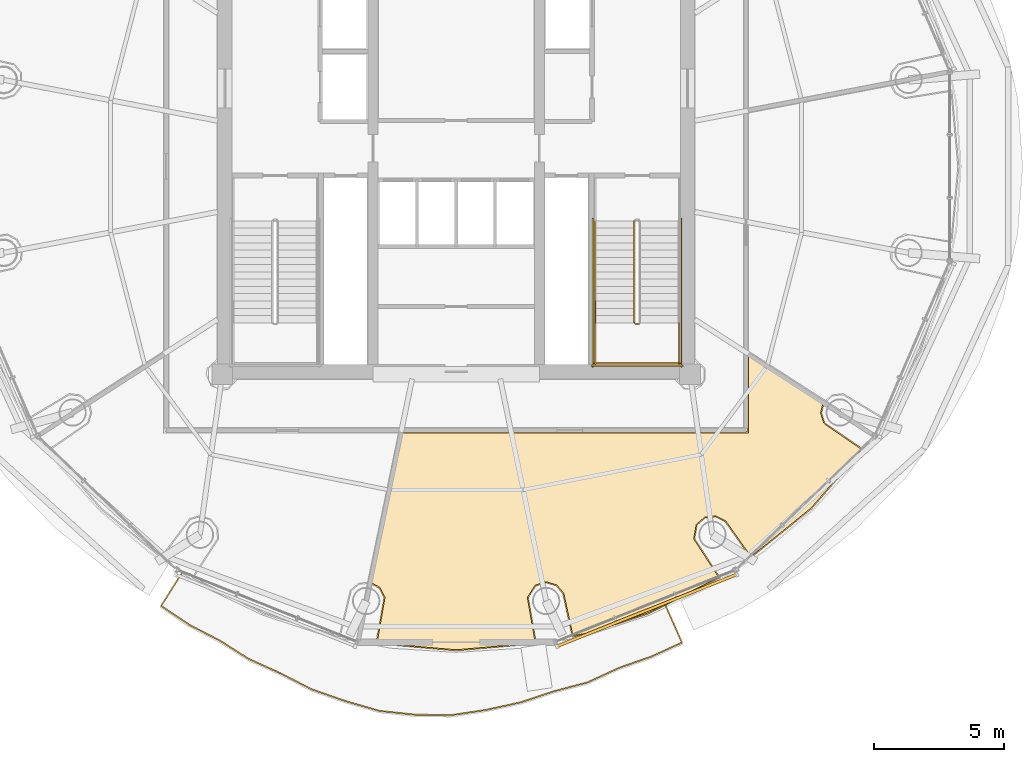
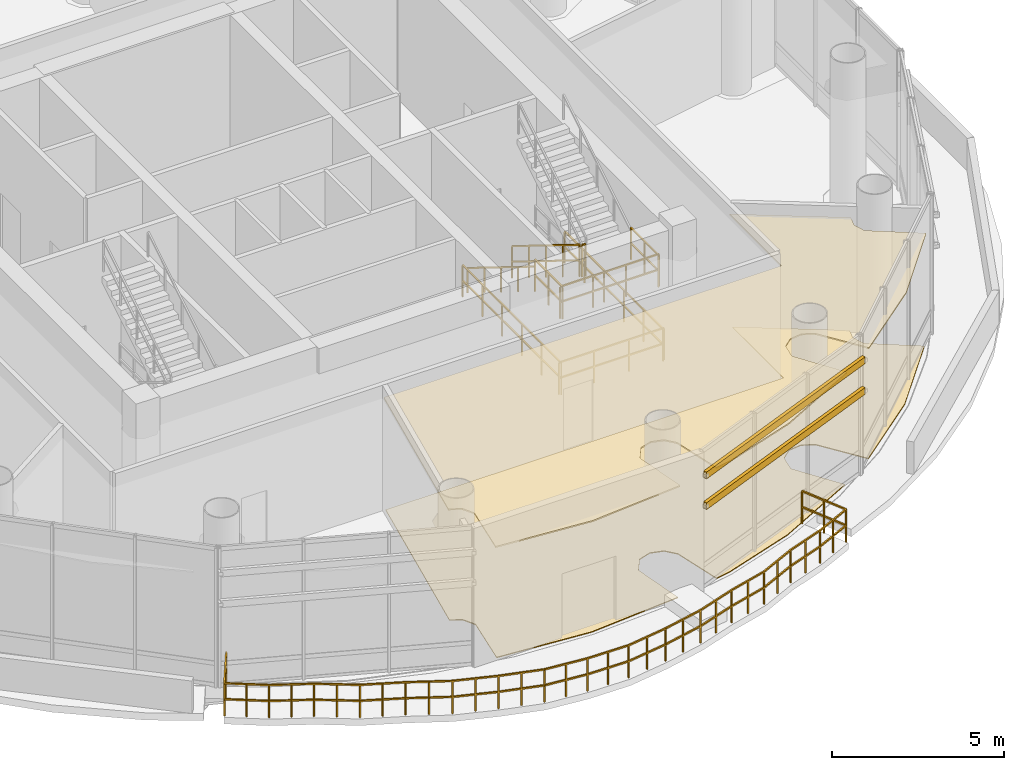
# One storey, part 20 of 22: 10 railings, 2 coverings, 2 shading devices.
"""IFC4 building model written with IfcOpenShell, lengths in metres."""

import ifcopenshell
import ifcopenshell.guid

model = None  # the IFC model being written
_history = None  # IfcOwnerHistory: only IFC2X3 demands one
_inside = {}  # id of a spatial element -> (the spatial element, [elements in it])
_under = {}  # id of a project, library or spatial element -> (it, [spatial elements below it])
_declared = {}  # id of a project -> (the project, [libraries it declares])
_typed = {}  # id of a type object -> (the type object, [elements of that type])
_made_of = {}  # id of a material, layer set ... -> (it, [elements and type objects made of it])


def new_model(schema):
    """Start an empty IFC model of exactly this schema.

    Asked for "IFC4X3", IfcOpenShell would pick the latest addendum, in which some entities
    have other attributes; the version numbers below select the first issue.
    IFC2X3 requires an IfcOwnerHistory on every rooted entity: one is made here for all.
    """
    global model, _history
    if schema == "IFC4X3":
        model = ifcopenshell.file(schema_version=(4, 3, 0, 0))
    else:
        model = ifcopenshell.file(schema=schema)
    _inside.clear()
    _under.clear()
    _declared.clear()
    _typed.clear()
    _made_of.clear()
    _history = None
    if model.schema == "IFC2X3":
        org = make("IfcOrganization", Name="unknown")
        user = make(
            "IfcPersonAndOrganization",
            ThePerson=make("IfcPerson", FamilyName="unknown"),
            TheOrganization=org,
        )
        app = make(
            "IfcApplication",
            ApplicationDeveloper=org,
            Version="unknown",
            ApplicationFullName="unknown",
            ApplicationIdentifier="unknown",
        )
        _history = make(
            "IfcOwnerHistory",
            OwningUser=user,
            OwningApplication=app,
            ChangeAction="ADDED",
            CreationDate=0,
        )
    return model


def make(cls, **values):
    """One entity of the class cls with the attributes given. An attribute that is None is left unset."""
    return model.create_entity(
        cls, **{name: value for name, value in values.items() if value is not None}
    )


def rooted(cls, **values):
    """An entity with a GlobalId (a new one), such as an element, a storey or a relation."""
    return make(cls, GlobalId=ifcopenshell.guid.new(), OwnerHistory=_history, **values)


def si_unit(unit_type, name, prefix=None):
    """IfcSIUnit, for example si_unit("LENGTHUNIT", "METRE", prefix="MILLI")."""
    return make("IfcSIUnit", UnitType=unit_type, Prefix=prefix, Name=name)


def assignment(units):
    """IfcUnitAssignment: the units of a project."""
    return None if units is None else make("IfcUnitAssignment", Units=units)


def point(xyz):
    """IfcCartesianPoint."""
    return None if xyz is None else make("IfcCartesianPoint", Coordinates=xyz)


def direction(xyz):
    """IfcDirection."""
    return None if xyz is None else make("IfcDirection", DirectionRatios=xyz)


def frame(location, z_axis=None, x_axis=None):
    """IfcAxis2Placement3D, a coordinate frame: its origin and axes. An axis left out is left unset."""
    return make(
        "IfcAxis2Placement3D",
        Location=point(location),
        Axis=direction(z_axis),
        RefDirection=direction(x_axis),
    )


def frame_2d(location, x_axis=None):
    """IfcAxis2Placement2D, a coordinate frame in the plane: its origin and x axis."""
    return make(
        "IfcAxis2Placement2D", Location=point(location), RefDirection=direction(x_axis)
    )


def origin():
    """The frame at (0, 0, 0) with its axes left unset."""
    return frame((0.0, 0.0, 0.0))


def origin_2d():
    """The frame at (0, 0) in the plane with its x axis left unset."""
    return frame_2d((0.0, 0.0))


def place(relative_to, where):
    """IfcLocalPlacement: puts the frame where relative to a parent placement (None: the world)."""
    return make(
        "IfcLocalPlacement", PlacementRelTo=relative_to, RelativePlacement=where
    )


def context(
    kind, dimensions, precision=None, world=None, true_north=None, identifier=None
):
    """IfcGeometricRepresentationContext, for example the 3D "Model" context."""
    return make(
        "IfcGeometricRepresentationContext",
        ContextIdentifier=identifier,
        ContextType=kind,
        CoordinateSpaceDimension=dimensions,
        Precision=precision,
        WorldCoordinateSystem=world,
        TrueNorth=true_north,
    )


def subcontext(parent, identifier, kind, view, scale=None):
    """IfcGeometricRepresentationSubContext, for example "Body" below "Model"."""
    return make(
        "IfcGeometricRepresentationSubContext",
        ContextIdentifier=identifier,
        ContextType=kind,
        ParentContext=parent,
        TargetScale=scale,
        TargetView=view,
    )


def project(units=None, contexts=None):
    """IfcProject with its units and contexts."""
    return rooted(
        "IfcProject",
        Name="project",
        RepresentationContexts=contexts,
        UnitsInContext=assignment(units),
    )


def spatial(cls, under=None, at=None, **own):
    """A site, building, storey or space (cls), placed at a placement, below another one or the project."""
    s = rooted(cls, ObjectPlacement=at, **own)
    if under is not None:
        _under.setdefault(under.id(), (under, []))[1].append(s)
    return s


def polyline(points):
    """IfcPolyline through the points."""
    return make("IfcPolyline", Points=[point(p) for p in points])


def profile(cls, at=None, kind="AREA", **sizes):
    """A parametric profile (cls). Its sizes go by their IFC names, for example OverallWidth=200.0."""
    return make(cls, ProfileType=kind, Position=at, **sizes)


def rectangle(**sizes):
    """IfcRectangleProfileDef."""
    return profile("IfcRectangleProfileDef", **sizes)


def hollow_rectangle(**sizes):
    """IfcRectangleHollowProfileDef."""
    return profile("IfcRectangleHollowProfileDef", **sizes)


def outline(outer, holes=None, kind="AREA"):
    """IfcArbitraryClosedProfileDef: a profile drawn as a closed curve; with holes, ...WithVoids."""
    if holes is None:
        return make("IfcArbitraryClosedProfileDef", ProfileType=kind, OuterCurve=outer)
    return make(
        "IfcArbitraryProfileDefWithVoids",
        ProfileType=kind,
        OuterCurve=outer,
        InnerCurves=holes,
    )


def extrude(swept, where, along, depth):
    """IfcExtrudedAreaSolid: the profile swept, set in the frame where, extruded along a direction by depth."""
    return make(
        "IfcExtrudedAreaSolid",
        SweptArea=swept,
        Position=where,
        ExtrudedDirection=direction(along),
        Depth=depth,
    )


def shape(context_of_items, identifier, shape_type, items):
    """IfcShapeRepresentation: the items that make up one representation, for example the "Body"."""
    return make(
        "IfcShapeRepresentation",
        ContextOfItems=context_of_items,
        RepresentationIdentifier=identifier,
        RepresentationType=shape_type,
        Items=items,
    )


def source(mapping_origin, context_of_items, identifier, shape_type, items):
    """IfcRepresentationMap: a shape defined once, which mapped items show again and again."""
    return make(
        "IfcRepresentationMap",
        MappingOrigin=mapping_origin,
        MappedRepresentation=shape(context_of_items, identifier, shape_type, items),
    )


def transform(
    local_origin,
    x_axis=None,
    y_axis=None,
    z_axis=None,
    scale=None,
    scale2=None,
    scale3=None,
    uniform=True,
):
    """IfcCartesianTransformationOperator3D, or its non-uniform kind. x_axis, y_axis, z_axis: its Axis1, 2, 3."""
    if uniform:
        return make(
            "IfcCartesianTransformationOperator3D",
            Axis1=direction(x_axis),
            Axis2=direction(y_axis),
            LocalOrigin=point(local_origin),
            Scale=scale,
            Axis3=direction(z_axis),
        )
    return make(
        "IfcCartesianTransformationOperator3DnonUniform",
        Axis1=direction(x_axis),
        Axis2=direction(y_axis),
        LocalOrigin=point(local_origin),
        Scale=scale,
        Axis3=direction(z_axis),
        Scale2=scale2,
        Scale3=scale3,
    )


def mapped(mapping_source, mapping_target):
    """IfcMappedItem: shows the shape of a source again, moved by a transform."""
    return make(
        "IfcMappedItem", MappingSource=mapping_source, MappingTarget=mapping_target
    )


def material(Name=None, Category=None):
    """IfcMaterial."""
    return make("IfcMaterial", Name=Name, Category=Category)


def layer(
    of_material, thickness, ventilated=None, Name=None, Category=None, Priority=None
):
    """IfcMaterialLayer: one layer of a wall or slab, of a material (None: an air gap)."""
    return make(
        "IfcMaterialLayer",
        Material=of_material,
        LayerThickness=thickness,
        IsVentilated=ventilated,
        Name=Name,
        Category=Category,
        Priority=Priority,
    )


def layer_set(layers, Name=None):
    """IfcMaterialLayerSet."""
    return make("IfcMaterialLayerSet", MaterialLayers=layers, LayerSetName=Name)


def material_profile(
    of_material, cross_section, Name=None, Category=None, Priority=None
):
    """IfcMaterialProfile: a cross section and its material."""
    return make(
        "IfcMaterialProfile",
        Name=Name,
        Material=of_material,
        Profile=cross_section,
        Priority=Priority,
        Category=Category,
    )


def profile_set(profiles, Name=None, composite=None):
    """IfcMaterialProfileSet."""
    return make(
        "IfcMaterialProfileSet",
        Name=Name,
        MaterialProfiles=profiles,
        CompositeProfile=composite,
    )


def made_of(thing, what):
    """Note that an element or type object is made of a material, layer set ...; save() writes the relation."""
    if what is not None:
        _made_of.setdefault(what.id(), (what, []))[1].append(thing)
    return thing


def type_object(cls, material=None, **own):
    """A type object (cls), such as IfcWallType, which elements share."""
    return made_of(rooted(cls, **own), material)


def element(
    cls,
    number,
    at=None,
    inside=None,
    cuts=None,
    type_object=None,
    material=None,
    context=None,
    identifier="Body",
    shape_type=None,
    held_by="IfcProductDefinitionShape",
    body=None,
    shapes=None,
    **own,
):
    """One element of the class cls, such as IfcWall. Its Tag is "e" and its number.

    at: its placement. inside: the storey or other place that contains it. cuts: it is an
    opening in that element (IfcRelVoidsElement). A single representation is given by context,
    identifier, shape_type and body (its items); several are given by shapes. held_by: the class
    of the entity that holds the representations. save() writes the other relations.
    """
    e = rooted(cls, Tag="e%d" % number, ObjectPlacement=at, **own)
    if body is not None:
        shapes = [shape(context, identifier, shape_type, body)]
    if shapes is not None:
        e.Representation = make(held_by, Representations=shapes)
    if inside is not None:
        _inside.setdefault(inside.id(), (inside, []))[1].append(e)
    if cuts is not None:
        rooted(
            "IfcRelVoidsElement", RelatingBuildingElement=cuts, RelatedOpeningElement=e
        )
    if type_object is not None:
        _typed.setdefault(type_object.id(), (type_object, []))[1].append(e)
    return made_of(e, material)


def aggregate(whole, parts):
    """IfcRelAggregates: a whole, such as a stair, and the parts it consists of."""
    return rooted("IfcRelAggregates", RelatingObject=whole, RelatedObjects=parts)


def save(model, path):
    """Write the relations noted so far, then the file.

    IfcRelAggregates (storeys below a building ...), IfcRelContainedInSpatialStructure (elements
    in a storey), IfcRelDefinesByType, IfcRelAssociatesMaterial and IfcRelDeclares: one each for
    every whole, place, type object, material and project.
    """
    for whole, parts in _under.values():
        aggregate(whole, parts)
    for where, things in _inside.values():
        rooted(
            "IfcRelContainedInSpatialStructure",
            RelatedElements=things,
            RelatingStructure=where,
        )
    for kind, things in _typed.values():
        rooted("IfcRelDefinesByType", RelatedObjects=things, RelatingType=kind)
    for what, things in _made_of.values():
        rooted("IfcRelAssociatesMaterial", RelatedObjects=things, RelatingMaterial=what)
    for by, libraries in _declared.values():
        rooted("IfcRelDeclares", RelatingContext=by, RelatedDefinitions=libraries)
    model.write(path)


model = new_model("IFC4")

# Units and contexts
model_context = context("Model", 3, precision=1e-05, world=origin(), true_north=direction((-0.2419218956, 0.970295726276)))
body_context = subcontext(model_context, "Body", "Model", "MODEL_VIEW")
ifc_project = project(units=[si_unit("LENGTHUNIT", "METRE"), si_unit("AREAUNIT", "SQUARE_METRE"), si_unit("VOLUMEUNIT", "CUBIC_METRE"), si_unit("PLANEANGLEUNIT", "RADIAN"), si_unit("MASSUNIT", "GRAM", prefix="KILO")], contexts=[model_context])

# Site, building, storey
site_placement = place(None, origin())
site = spatial("IfcSite", under=ifc_project, at=site_placement, CompositionType="ELEMENT")
building_placement = place(site_placement, origin())
building = spatial("IfcBuilding", under=site, at=building_placement, Name="Cobrevalo Terracotta Tower", CompositionType="ELEMENT")
storey_placement = place(building_placement, frame((0.0, 0.0, 243.0)))
storey = spatial("IfcBuildingStorey", under=building, at=storey_placement, Name="L64", CompositionType="ELEMENT", Elevation=243.0)

# Railing
ifc_material_1 = material(Name="Laminated structural glass and stainless steel", Category="steel")
railing_type_1 = type_object("IfcRailingType", Name="Balcony lobe structural glass & terracotta-cap balustrade 1180 mm", PredefinedType="BALUSTRADE", material=ifc_material_1)
railing_1_placement = place(storey_placement, frame((27.490966796875, 11.2333984375, 0.0)))
element("IfcRailing", 1, at=railing_1_placement, inside=storey, type_object=railing_type_1, Name="L64 spiralling balcony lobe balustrade 2", PredefinedType="BALUSTRADE", context=body_context, shape_type="SweptSolid", body=[
    extrude(rectangle(XDim=0.048095703125, YDim=0.048095703125, at=origin_2d()), frame((0.0, 0.0, 1.15576171875), z_axis=(-0.531421841923, -0.847107328458, 0.0), x_axis=(0.847107328458, -0.531421841923, 0.0)), (0.0, 0.0, 1.0), 1.587646484375),
    extrude(rectangle(XDim=0.048095703125, YDim=0.048095703125, at=origin_2d()), frame((0.0, 0.0, 0.58984375), z_axis=(-0.531421841923, -0.847107328458, 0.0), x_axis=(0.847107328458, -0.531421841923, 0.0)), (0.0, 0.0, 1.0), 1.587646484375),
    extrude(rectangle(XDim=0.048095703125, YDim=0.048095703125, at=origin_2d()), frame((-0.84375, -1.344970703125, 1.15576171875), z_axis=(0.829187182177, -0.558971034056, 0.0), x_axis=(0.558971034056, 0.829187182177, 0.0)), (0.0, 0.0, 1.0), 1.3037109375),
    extrude(rectangle(XDim=0.048095703125, YDim=0.048095703125, at=origin_2d()), frame((-0.84375, -1.344970703125, 0.58984375), z_axis=(0.829187182177, -0.558971034056, 0.0), x_axis=(0.558971034056, 0.829187182177, 0.0)), (0.0, 0.0, 1.0), 1.3037109375),
    extrude(rectangle(XDim=0.048095703125, YDim=0.048095703125, at=origin_2d()), frame((0.2373046875, -2.07373046875, 1.15576171875), z_axis=(0.888953850468, -0.457996781361, 0.0), x_axis=(0.457996781361, 0.888953850468, 0.0)), (0.0, 0.0, 1.0), 1.30908203125),
    extrude(rectangle(XDim=0.048095703125, YDim=0.048095703125, at=origin_2d()), frame((0.2373046875, -2.07373046875, 0.58984375), z_axis=(0.888953850468, -0.457996781361, 0.0), x_axis=(0.457996781361, 0.888953850468, 0.0)), (0.0, 0.0, 1.0), 1.30908203125),
    extrude(rectangle(XDim=0.048095703125, YDim=0.048095703125, at=origin_2d()), frame((1.401123046875, -2.67333984375, 1.15576171875), z_axis=(0.844633943244, -0.535344283541, 0.0), x_axis=(0.535344283541, 0.844633943244, 0.0)), (0.0, 0.0, 1.0), 1.33154296875),
    extrude(rectangle(XDim=0.048095703125, YDim=0.048095703125, at=origin_2d()), frame((1.401123046875, -2.67333984375, 0.58984375), z_axis=(0.844633943244, -0.535344283541, 0.0), x_axis=(0.535344283541, 0.844633943244, 0.0)), (0.0, 0.0, 1.0), 1.33154296875),
    extrude(rectangle(XDim=0.048095703125, YDim=0.048095703125, at=origin_2d()), frame((2.52587890625, -3.38623046875, 1.15576171875), z_axis=(0.910742410803, -0.412974891687, 0.0), x_axis=(0.412974891687, 0.910742410803, 0.0)), (0.0, 0.0, 1.0), 1.3330078125),
    extrude(rectangle(XDim=0.048095703125, YDim=0.048095703125, at=origin_2d()), frame((2.52587890625, -3.38623046875, 0.58984375), z_axis=(0.910742410803, -0.412974891687, 0.0), x_axis=(0.412974891687, 0.910742410803, 0.0)), (0.0, 0.0, 1.0), 1.3330078125),
    extrude(rectangle(XDim=0.048095703125, YDim=0.048095703125, at=origin_2d()), frame((3.739990234375, -3.936767578125, 1.15576171875), z_axis=(0.8902346552, -0.455502204913, 0.0), x_axis=(0.455502204913, 0.8902346552, 0.0)), (0.0, 0.0, 1.0), 1.363525390625),
    extrude(rectangle(XDim=0.048095703125, YDim=0.048095703125, at=origin_2d()), frame((3.739990234375, -3.936767578125, 0.58984375), z_axis=(0.8902346552, -0.455502204913, 0.0), x_axis=(0.455502204913, 0.8902346552, 0.0)), (0.0, 0.0, 1.0), 1.363525390625),
    extrude(rectangle(XDim=0.048095703125, YDim=0.048095703125, at=origin_2d()), frame((4.953857421875, -4.557861328125, 1.15576171875), z_axis=(0.944184634072, -0.329416722075, 0.0), x_axis=(0.329416722075, 0.944184634072, 0.0)), (0.0, 0.0, 1.0), 1.363037109375),
    extrude(rectangle(XDim=0.048095703125, YDim=0.048095703125, at=origin_2d()), frame((4.953857421875, -4.557861328125, 0.58984375), z_axis=(0.944184634072, -0.329416722075, 0.0), x_axis=(0.329416722075, 0.944184634072, 0.0)), (0.0, 0.0, 1.0), 1.363037109375),
    extrude(rectangle(XDim=0.048095703125, YDim=0.048095703125, at=origin_2d()), frame((6.24072265625, -5.0068359375, 1.15576171875), z_axis=(0.960715235632, -0.277536008518, 0.0), x_axis=(0.277536008518, 0.960715235632, 0.0)), (0.0, 0.0, 1.0), 1.3740234375),
    extrude(rectangle(XDim=0.048095703125, YDim=0.048095703125, at=origin_2d()), frame((6.24072265625, -5.0068359375, 0.58984375), z_axis=(0.960715235632, -0.277536008518, 0.0), x_axis=(0.277536008518, 0.960715235632, 0.0)), (0.0, 0.0, 1.0), 1.3740234375),
    extrude(rectangle(XDim=0.048095703125, YDim=0.048095703125, at=origin_2d()), frame((7.560791015625, -5.38818359375, 1.15576171875), z_axis=(0.994510335664, -0.104638388069, 0.0), x_axis=(0.104638388069, 0.994510335664, 0.0)), (0.0, 0.0, 1.0), 1.36962890625),
    extrude(rectangle(XDim=0.048095703125, YDim=0.048095703125, at=origin_2d()), frame((7.560791015625, -5.38818359375, 0.58984375), z_axis=(0.994510335664, -0.104638388069, 0.0), x_axis=(0.104638388069, 0.994510335664, 0.0)), (0.0, 0.0, 1.0), 1.36962890625),
    extrude(rectangle(XDim=0.048095703125, YDim=0.048095703125, at=origin_2d()), frame((8.9228515625, -5.531494140625, 1.15576171875), z_axis=(0.999865654597, -0.016391240239, 0.0), x_axis=(0.016391240239, 0.999865654597, 0.0)), (0.0, 0.0, 1.0), 1.370361328125),
    extrude(rectangle(XDim=0.048095703125, YDim=0.048095703125, at=origin_2d()), frame((8.9228515625, -5.531494140625, 0.58984375), z_axis=(0.999865654597, -0.016391240239, 0.0), x_axis=(0.016391240239, 0.999865654597, 0.0)), (0.0, 0.0, 1.0), 1.370361328125),
    extrude(rectangle(XDim=0.048095703125, YDim=0.048095703125, at=origin_2d()), frame((10.29296875, -5.553955078125, 1.15576171875), z_axis=(0.989004046857, 0.147888455605, 0.0), x_axis=(-0.147888455605, 0.989004046857, 0.0)), (0.0, 0.0, 1.0), 1.37353515625),
    extrude(rectangle(XDim=0.048095703125, YDim=0.048095703125, at=origin_2d()), frame((10.29296875, -5.553955078125, 0.58984375), z_axis=(0.989004046857, 0.147888455605, 0.0), x_axis=(-0.147888455605, 0.989004046857, 0.0)), (0.0, 0.0, 1.0), 1.37353515625),
    extrude(rectangle(XDim=0.048095703125, YDim=0.048095703125, at=origin_2d()), frame((11.6513671875, -5.350830078125, 1.15576171875), z_axis=(0.97693850044, 0.213520880382, 0.0), x_axis=(-0.213520880382, 0.97693850044, 0.0)), (0.0, 0.0, 1.0), 1.365234375),
    extrude(rectangle(XDim=0.048095703125, YDim=0.048095703125, at=origin_2d()), frame((11.6513671875, -5.350830078125, 0.58984375), z_axis=(0.97693850044, 0.213520880382, 0.0), x_axis=(-0.213520880382, 0.97693850044, 0.0)), (0.0, 0.0, 1.0), 1.365234375),
    extrude(rectangle(XDim=0.048095703125, YDim=0.048095703125, at=origin_2d()), frame((12.985107421875, -5.059326171875, 1.15576171875), z_axis=(0.949274589968, 0.314448330957, 0.0), x_axis=(-0.314448330957, 0.949274589968, 0.0)), (0.0, 0.0, 1.0), 1.358642578125),
    extrude(rectangle(XDim=0.048095703125, YDim=0.048095703125, at=origin_2d()), frame((12.985107421875, -5.059326171875, 0.58984375), z_axis=(0.949274589968, 0.314448330957, 0.0), x_axis=(-0.314448330957, 0.949274589968, 0.0)), (0.0, 0.0, 1.0), 1.358642578125),
    extrude(rectangle(XDim=0.048095703125, YDim=0.048095703125, at=origin_2d()), frame((14.27490234375, -4.632080078125, 1.15576171875), z_axis=(0.966559703404, 0.256441688804, 0.0), x_axis=(-0.256441688804, 0.966559703404, 0.0)), (0.0, 0.0, 1.0), 1.331787109375),
    extrude(rectangle(XDim=0.048095703125, YDim=0.048095703125, at=origin_2d()), frame((14.27490234375, -4.632080078125, 0.58984375), z_axis=(0.966559703404, 0.256441688804, 0.0), x_axis=(-0.256441688804, 0.966559703404, 0.0)), (0.0, 0.0, 1.0), 1.331787109375),
    extrude(rectangle(XDim=0.048095703125, YDim=0.048095703125, at=origin_2d()), frame((15.562255859375, -4.29052734375, 1.15576171875), z_axis=(0.908093085912, 0.41876836953, 0.0), x_axis=(-0.41876836953, 0.908093085912, 0.0)), (0.0, 0.0, 1.0), 1.335693359375),
    extrude(rectangle(XDim=0.048095703125, YDim=0.048095703125, at=origin_2d()), frame((15.562255859375, -4.29052734375, 0.58984375), z_axis=(0.908093085912, 0.41876836953, 0.0), x_axis=(-0.41876836953, 0.908093085912, 0.0)), (0.0, 0.0, 1.0), 1.335693359375),
    extrude(rectangle(XDim=0.048095703125, YDim=0.048095703125, at=origin_2d()), frame((16.775146484375, -3.731201171875, 1.15576171875), z_axis=(0.944061386362, 0.329769766321, 0.0), x_axis=(-0.329769766321, 0.944061386362, 0.0)), (0.0, 0.0, 1.0), 1.31103515625),
    extrude(rectangle(XDim=0.048095703125, YDim=0.048095703125, at=origin_2d()), frame((16.775146484375, -3.731201171875, 0.58984375), z_axis=(0.944061386362, 0.329769766321, 0.0), x_axis=(-0.329769766321, 0.944061386362, 0.0)), (0.0, 0.0, 1.0), 1.31103515625),
    extrude(rectangle(XDim=0.048095703125, YDim=0.048095703125, at=origin_2d()), frame((18.012939453125, -3.298828125, 1.15576171875), z_axis=(0.909686468188, 0.415295713432, 0.0), x_axis=(-0.415295713432, 0.909686468188, 0.0)), (0.0, 0.0, 1.0), 1.3056640625),
    extrude(rectangle(XDim=0.048095703125, YDim=0.048095703125, at=origin_2d()), frame((18.012939453125, -3.298828125, 0.58984375), z_axis=(0.909686468188, 0.415295713432, 0.0), x_axis=(-0.415295713432, 0.909686468188, 0.0)), (0.0, 0.0, 1.0), 1.3056640625),
    extrude(rectangle(XDim=0.048095703125, YDim=0.048095703125, at=origin_2d()), frame((19.20068359375, -2.756591796875, 1.15576171875), z_axis=(-0.405321069463, 0.914174398378, 0.0), x_axis=(-0.914174398378, -0.405321069463, 0.0)), (0.0, 0.0, 1.0), 1.579833984375),
    extrude(rectangle(XDim=0.048095703125, YDim=0.048095703125, at=origin_2d()), frame((19.20068359375, -2.756591796875, 0.58984375), z_axis=(-0.405321069463, 0.914174398378, 0.0), x_axis=(-0.914174398378, -0.405321069463, 0.0)), (0.0, 0.0, 1.0), 1.579833984375),
    extrude(rectangle(XDim=0.0419921875, YDim=0.0419921875, at=origin_2d()), origin(), (0.0, 0.0, 1.0), 1.1318359375),
    extrude(rectangle(XDim=0.0419921875, YDim=0.0419921875, at=origin_2d()), frame((-0.421875, -0.67236328125, 0.0)), (0.0, 0.0, 1.0), 1.1318359375),
    extrude(rectangle(XDim=0.0419921875, YDim=0.0419921875, at=origin_2d()), frame((-0.84375, -1.344970703125, 0.0)), (0.0, 0.0, 1.0), 1.1318359375),
    extrude(rectangle(XDim=0.0419921875, YDim=0.0419921875, at=origin_2d()), frame((-0.30322265625, -1.70947265625, 0.0)), (0.0, 0.0, 1.0), 1.1318359375),
    extrude(rectangle(XDim=0.0419921875, YDim=0.0419921875, at=origin_2d()), frame((0.2373046875, -2.07373046875, 0.0)), (0.0, 0.0, 1.0), 1.1318359375),
    extrude(rectangle(XDim=0.0419921875, YDim=0.0419921875, at=origin_2d()), frame((0.8193359375, -2.37353515625, 0.0)), (0.0, 0.0, 1.0), 1.1318359375),
    extrude(rectangle(XDim=0.0419921875, YDim=0.0419921875, at=origin_2d()), frame((1.401123046875, -2.67333984375, 0.0)), (0.0, 0.0, 1.0), 1.1318359375),
    extrude(rectangle(XDim=0.0419921875, YDim=0.0419921875, at=origin_2d()), frame((1.96337890625, -3.02978515625, 0.0)), (0.0, 0.0, 1.0), 1.1318359375),
    extrude(rectangle(XDim=0.0419921875, YDim=0.0419921875, at=origin_2d()), frame((2.52587890625, -3.38623046875, 0.0)), (0.0, 0.0, 1.0), 1.1318359375),
    extrude(rectangle(XDim=0.0419921875, YDim=0.0419921875, at=origin_2d()), frame((3.1328125, -3.66162109375, 0.0)), (0.0, 0.0, 1.0), 1.1318359375),
    extrude(rectangle(XDim=0.0419921875, YDim=0.0419921875, at=origin_2d()), frame((3.739990234375, -3.936767578125, 0.0)), (0.0, 0.0, 1.0), 1.1318359375),
    extrude(rectangle(XDim=0.0419921875, YDim=0.0419921875, at=origin_2d()), frame((4.346923828125, -4.247314453125, 0.0)), (0.0, 0.0, 1.0), 1.1318359375),
    extrude(rectangle(XDim=0.0419921875, YDim=0.0419921875, at=origin_2d()), frame((4.953857421875, -4.557861328125, 0.0)), (0.0, 0.0, 1.0), 1.1318359375),
    extrude(rectangle(XDim=0.0419921875, YDim=0.0419921875, at=origin_2d()), frame((5.59716796875, -4.7822265625, 0.0)), (0.0, 0.0, 1.0), 1.1318359375),
    extrude(rectangle(XDim=0.0419921875, YDim=0.0419921875, at=origin_2d()), frame((6.24072265625, -5.0068359375, 0.0)), (0.0, 0.0, 1.0), 1.1318359375),
    extrude(rectangle(XDim=0.0419921875, YDim=0.0419921875, at=origin_2d()), frame((6.90087890625, -5.197509765625, 0.0)), (0.0, 0.0, 1.0), 1.1318359375),
    extrude(rectangle(XDim=0.0419921875, YDim=0.0419921875, at=origin_2d()), frame((7.560791015625, -5.38818359375, 0.0)), (0.0, 0.0, 1.0), 1.1318359375),
    extrude(rectangle(XDim=0.0419921875, YDim=0.0419921875, at=origin_2d()), frame((8.24169921875, -5.4599609375, 0.0)), (0.0, 0.0, 1.0), 1.1318359375),
    extrude(rectangle(XDim=0.0419921875, YDim=0.0419921875, at=origin_2d()), frame((8.9228515625, -5.531494140625, 0.0)), (0.0, 0.0, 1.0), 1.1318359375),
    extrude(rectangle(XDim=0.0419921875, YDim=0.0419921875, at=origin_2d()), frame((9.60791015625, -5.542724609375, 0.0)), (0.0, 0.0, 1.0), 1.1318359375),
    extrude(rectangle(XDim=0.0419921875, YDim=0.0419921875, at=origin_2d()), frame((10.29296875, -5.553955078125, 0.0)), (0.0, 0.0, 1.0), 1.1318359375),
    extrude(rectangle(XDim=0.0419921875, YDim=0.0419921875, at=origin_2d()), frame((10.97216796875, -5.452392578125, 0.0)), (0.0, 0.0, 1.0), 1.1318359375),
    extrude(rectangle(XDim=0.0419921875, YDim=0.0419921875, at=origin_2d()), frame((11.6513671875, -5.350830078125, 0.0)), (0.0, 0.0, 1.0), 1.1318359375),
    extrude(rectangle(XDim=0.0419921875, YDim=0.0419921875, at=origin_2d()), frame((12.318359375, -5.205078125, 0.0)), (0.0, 0.0, 1.0), 1.1318359375),
    extrude(rectangle(XDim=0.0419921875, YDim=0.0419921875, at=origin_2d()), frame((12.985107421875, -5.059326171875, 0.0)), (0.0, 0.0, 1.0), 1.1318359375),
    extrude(rectangle(XDim=0.0419921875, YDim=0.0419921875, at=origin_2d()), frame((13.6298828125, -4.845703125, 0.0)), (0.0, 0.0, 1.0), 1.1318359375),
    extrude(rectangle(XDim=0.0419921875, YDim=0.0419921875, at=origin_2d()), frame((14.27490234375, -4.632080078125, 0.0)), (0.0, 0.0, 1.0), 1.1318359375),
    extrude(rectangle(XDim=0.0419921875, YDim=0.0419921875, at=origin_2d()), frame((14.91845703125, -4.46142578125, 0.0)), (0.0, 0.0, 1.0), 1.1318359375),
    extrude(rectangle(XDim=0.0419921875, YDim=0.0419921875, at=origin_2d()), frame((15.562255859375, -4.29052734375, 0.0)), (0.0, 0.0, 1.0), 1.1318359375),
    extrude(rectangle(XDim=0.0419921875, YDim=0.0419921875, at=origin_2d()), frame((16.168701171875, -4.0107421875, 0.0)), (0.0, 0.0, 1.0), 1.1318359375),
    extrude(rectangle(XDim=0.0419921875, YDim=0.0419921875, at=origin_2d()), frame((16.775146484375, -3.731201171875, 0.0)), (0.0, 0.0, 1.0), 1.1318359375),
    extrude(rectangle(XDim=0.0419921875, YDim=0.0419921875, at=origin_2d()), frame((17.39404296875, -3.51513671875, 0.0)), (0.0, 0.0, 1.0), 1.1318359375),
    extrude(rectangle(XDim=0.0419921875, YDim=0.0419921875, at=origin_2d()), frame((18.012939453125, -3.298828125, 0.0)), (0.0, 0.0, 1.0), 1.1318359375),
    extrude(rectangle(XDim=0.0419921875, YDim=0.0419921875, at=origin_2d()), frame((18.60693359375, -3.02783203125, 0.0)), (0.0, 0.0, 1.0), 1.1318359375),
    extrude(rectangle(XDim=0.0419921875, YDim=0.0419921875, at=origin_2d()), frame((19.20068359375, -2.756591796875, 0.0)), (0.0, 0.0, 1.0), 1.1318359375),
    extrude(rectangle(XDim=0.0419921875, YDim=0.0419921875, at=origin_2d()), frame((18.88037109375, -2.034423828125, 0.0)), (0.0, 0.0, 1.0), 1.1318359375),
    extrude(rectangle(XDim=0.0419921875, YDim=0.0419921875, at=origin_2d()), frame((18.560302734375, -1.312255859375, 0.0)), (0.0, 0.0, 1.0), 1.1318359375),
])

# Coverings
ifc_material_2 = material(Name="Honed terracotta and granite tile", Category="masonry")
ifc_layer_1 = layer(ifc_material_2, 0.034912109375)
ifc_layer_set_1 = layer_set([ifc_layer_1], Name="Honed terracotta and granite tile")
covering_type_1 = type_object("IfcCoveringType", Name="Honed Terracotta & Granite Interior Flooring 35", PredefinedType="FLOORING", material=ifc_layer_set_1)
covering_1_placement = place(storey_placement, origin())
element("IfcCovering", 2, at=covering_1_placement, inside=storey, type_object=covering_type_1, Name="L64 South Panorama Sky Lounge floor finish", PredefinedType="FLOORING", context=body_context, shape_type="SweptSolid", body=[
    extrude(outline(polyline([(51.6474609375, 13.648193359375), (49.346435546875, 11.784423828125), (48.374755859375, 13.156494140625), (47.9921875, 13.351806640625), (47.5654296875, 13.3017578125), (47.238525390625, 13.02294921875), (47.138427734375, 12.465576171875), (48.101318359375, 10.982666015625), (45.385986328125, 9.615966796875), (42.995361328125, 8.833740234375), (42.495849609375, 8.738037109375), (42.144287109375, 10.3662109375), (41.869140625, 10.6962890625), (41.45703125, 10.817626953125), (41.046875, 10.689697265625), (40.73583984375, 10.21630859375), (41.042236328125, 8.45947265625), (38.0, 8.199951171875), (34.957763671875, 8.45947265625), (35.26416015625, 10.21630859375), (35.064453125, 10.596923828125), (34.71728515625, 10.79296875), (35.904296875, 16.544921875), (49.2548828125, 16.544921875), (49.2548828125, 19.527099609375), (52.114501953125, 17.685546875), (52.0185546875, 17.31396484375), (52.15087890625, 16.905029296875), (53.607421875, 15.903564453125), (51.6474609375, 13.648193359375)])), origin(), (0.0, 0.0, 1.0), 0.030029296875),
])
ifc_material_3 = material(Name="Acoustic perforated gypsum ceiling", Category="gypsum")
ifc_layer_2 = layer(ifc_material_3, 0.050048828125)
ifc_layer_set_2 = layer_set([ifc_layer_2], Name="Acoustic perforated gypsum ceiling")
covering_type_2 = type_object("IfcCoveringType", Name="Perforated Acoustic Gypsum Ceiling 50", PredefinedType="CEILING", material=ifc_layer_set_2)
covering_2_placement = place(storey_placement, frame((0.0, 0.0, 3.949951171875)))
element("IfcCovering", 3, at=covering_2_placement, inside=storey, type_object=covering_type_2, Name="L64 South Panorama Sky Lounge acoustic ceiling", PredefinedType="CEILING", context=body_context, shape_type="SweptSolid", body=[
    extrude(outline(polyline([(51.6787109375, 13.61572265625), (49.334228515625, 11.72314453125), (48.343505859375, 13.1240234375), (47.984130859375, 13.307373046875), (47.58349609375, 13.26025390625), (47.2763671875, 12.99853515625), (47.1826171875, 12.47509765625), (48.164794921875, 10.969970703125), (45.40283203125, 9.57421875), (43.006591796875, 8.790283203125), (42.4609375, 8.685546875), (42.102783203125, 10.3486328125), (41.84423828125, 10.658447265625), (41.45751953125, 10.7724609375), (41.072265625, 10.65234375), (40.7802734375, 10.207763671875), (41.095458984375, 8.423828125), (38.0, 8.155029296875), (34.904541015625, 8.423828125), (35.2197265625, 10.207763671875), (35.0322265625, 10.565185546875), (34.6650390625, 10.76220703125), (35.86767578125, 16.590087890625), (49.2099609375, 16.590087890625), (49.2099609375, 19.609619140625), (52.173095703125, 17.701416015625), (52.063720703125, 17.314697265625), (52.18798828125, 16.930908203125), (53.6708984375, 15.916259765625), (51.6787109375, 13.61572265625)])), origin(), (0.0, 0.0, 1.0), 0.050048828125),
])

# Railings
ifc_material_4 = material(Name="Brushed stainless steel", Category="steel")
railing_type_2 = type_object("IfcRailingType", Name="Stainless Steel Stair Handrail 900", PredefinedType="HANDRAIL", material=ifc_material_4)
railing_2_placement = place(storey_placement, frame((43.35498046875, 24.699951171875, 0.17333984375)))
element("IfcRailing", 4, at=railing_2_placement, inside=storey, type_object=railing_type_2, Name="L64 ST-2 stair handrail 1", PredefinedType="HANDRAIL", context=body_context, shape_type="SweptSolid", body=[
    extrude(rectangle(XDim=0.048095703125, YDim=0.048095703125, at=origin_2d()), frame((0.0, 0.0, 0.8759765625), z_axis=(0.0, -0.850251603719, 0.526376491091), x_axis=(1.0, 0.0, 0.0)), (0.0, 0.0, 1.0), 4.6103515625),
    extrude(rectangle(XDim=0.0419921875, YDim=0.0419921875, at=origin_2d()), origin(), (0.0, 0.0, 1.0), 0.851806640625),
    extrude(rectangle(XDim=0.0419921875, YDim=0.0419921875, at=origin_2d()), frame((0.0, -0.97998046875, 0.606689453125)), (0.0, 0.0, 1.0), 0.851806640625),
    extrude(rectangle(XDim=0.0419921875, YDim=0.0419921875, at=origin_2d()), frame((0.0, -1.9599609375, 1.21337890625)), (0.0, 0.0, 1.0), 0.851806640625),
    extrude(rectangle(XDim=0.0419921875, YDim=0.0419921875, at=origin_2d()), frame((0.0, -2.93994140625, 1.820068359375)), (0.0, 0.0, 1.0), 0.851806640625),
    extrude(rectangle(XDim=0.0419921875, YDim=0.0419921875, at=origin_2d()), frame((0.0, -3.919921875, 2.4267578125)), (0.0, 0.0, 1.0), 0.851806640625),
])
ifc_material_5 = material(Name="Painted galvanized steel", Category="steel")
railing_type_3 = type_object("IfcRailingType", Name="Stair Well Guard Balustrade 1150", PredefinedType="GUARDRAIL", material=ifc_material_5)
railing_3_placement = place(storey_placement, frame((44.85498046875, 24.699951171875, 0.17333984375)))
element("IfcRailing", 5, at=railing_3_placement, inside=storey, type_object=railing_type_3, Name="L64 ST-2 stair guard 1", PredefinedType="GUARDRAIL", context=body_context, shape_type="SweptSolid", body=[
    extrude(rectangle(XDim=0.048095703125, YDim=0.048095703125, at=origin_2d()), frame((0.0, 0.0, 1.1259765625), z_axis=(0.0, -0.850251603719, 0.526376491091), x_axis=(1.0, 0.0, 0.0)), (0.0, 0.0, 1.0), 4.6103515625),
    extrude(rectangle(XDim=0.048095703125, YDim=0.048095703125, at=origin_2d()), frame((0.0, 0.0, 0.574951171875), z_axis=(0.0, -0.850251603719, 0.526376491091), x_axis=(1.0, 0.0, 0.0)), (0.0, 0.0, 1.0), 4.6103515625),
    extrude(rectangle(XDim=0.0419921875, YDim=0.0419921875, at=origin_2d()), origin(), (0.0, 0.0, 1.0), 1.101806640625),
    extrude(rectangle(XDim=0.0419921875, YDim=0.0419921875, at=origin_2d()), frame((0.0, -0.97998046875, 0.606689453125)), (0.0, 0.0, 1.0), 1.101806640625),
    extrude(rectangle(XDim=0.0419921875, YDim=0.0419921875, at=origin_2d()), frame((0.0, -1.9599609375, 1.21337890625)), (0.0, 0.0, 1.0), 1.101806640625),
    extrude(rectangle(XDim=0.0419921875, YDim=0.0419921875, at=origin_2d()), frame((0.0, -2.93994140625, 1.820068359375)), (0.0, 0.0, 1.0), 1.101806640625),
    extrude(rectangle(XDim=0.0419921875, YDim=0.0419921875, at=origin_2d()), frame((0.0, -3.919921875, 2.4267578125)), (0.0, 0.0, 1.0), 1.101806640625),
])
railing_4_placement = place(storey_placement, frame((44.905029296875, 20.72998046875, 2.60009765625)))
element("IfcRailing", 6, at=railing_4_placement, inside=storey, type_object=railing_type_3, Name="L64 ST-2 stair guard 2", PredefinedType="GUARDRAIL", context=body_context, shape_type="SweptSolid", body=[
    extrude(rectangle(XDim=0.048095703125, YDim=0.048095703125, at=origin_2d()), frame((0.0, 0.0, 1.1259765625), z_axis=(1.0, 0.0, 0.0), x_axis=(0.0, 1.0, 0.0)), (0.0, 0.0, 1.0), 0.119873046875),
    extrude(rectangle(XDim=0.048095703125, YDim=0.048095703125, at=origin_2d()), frame((0.0, 0.0, 0.574951171875), z_axis=(1.0, 0.0, 0.0), x_axis=(0.0, 1.0, 0.0)), (0.0, 0.0, 1.0), 0.119873046875),
    extrude(rectangle(XDim=0.0419921875, YDim=0.0419921875, at=origin_2d()), origin(), (0.0, 0.0, 1.0), 1.101806640625),
    extrude(rectangle(XDim=0.0419921875, YDim=0.0419921875, at=origin_2d()), frame((0.119873046875, 0.0, 0.0)), (0.0, 0.0, 1.0), 1.101806640625),
])
for number, where, name in (
    (7, (43.35498046875, 20.780029296875, 2.60009765625), "L64 ST-2 stair guard 3"),
    (8, (46.574951171875, 20.780029296875, 2.60009765625), "L64 ST-2 stair guard 4"),
):
    element("IfcRailing", number, at=place(storey_placement, frame(where)), inside=storey, type_object=railing_type_3, Name=name, PredefinedType="GUARDRAIL", context=body_context, shape_type="SweptSolid", body=[
        extrude(rectangle(XDim=0.048095703125, YDim=0.048095703125, at=origin_2d()), frame((0.0, 0.0, 1.1259765625), z_axis=(0.0, -1.0, 0.0), x_axis=(1.0, 0.0, 0.0)), (0.0, 0.0, 1.0), 1.60498046875),
        extrude(rectangle(XDim=0.048095703125, YDim=0.048095703125, at=origin_2d()), frame((0.0, 0.0, 0.574951171875), z_axis=(0.0, -1.0, 0.0), x_axis=(1.0, 0.0, 0.0)), (0.0, 0.0, 1.0), 1.60498046875),
        extrude(rectangle(XDim=0.0419921875, YDim=0.0419921875, at=origin_2d()), origin(), (0.0, 0.0, 1.0), 1.101806640625),
        extrude(rectangle(XDim=0.0419921875, YDim=0.0419921875, at=origin_2d()), frame((0.0, -0.802490234375, 0.0)), (0.0, 0.0, 1.0), 1.101806640625),
        extrude(rectangle(XDim=0.0419921875, YDim=0.0419921875, at=origin_2d()), frame((0.0, -1.60498046875, 0.0)), (0.0, 0.0, 1.0), 1.101806640625),
    ])
railing_5_placement = place(storey_placement, frame((43.304931640625, 19.22509765625, 2.60009765625)))
element("IfcRailing", 9, at=railing_5_placement, inside=storey, type_object=railing_type_3, Name="L64 ST-2 stair guard 5", PredefinedType="GUARDRAIL", context=body_context, shape_type="SweptSolid", body=[
    extrude(rectangle(XDim=0.048095703125, YDim=0.048095703125, at=origin_2d()), frame((0.0, 0.0, 1.1259765625), z_axis=(1.0, 0.0, 0.0), x_axis=(0.0, 1.0, 0.0)), (0.0, 0.0, 1.0), 3.320068359375),
    extrude(rectangle(XDim=0.048095703125, YDim=0.048095703125, at=origin_2d()), frame((0.0, 0.0, 0.574951171875), z_axis=(1.0, 0.0, 0.0), x_axis=(0.0, 1.0, 0.0)), (0.0, 0.0, 1.0), 3.320068359375),
    extrude(rectangle(XDim=0.0419921875, YDim=0.0419921875, at=origin_2d()), origin(), (0.0, 0.0, 1.0), 1.101806640625),
    extrude(rectangle(XDim=0.0419921875, YDim=0.0419921875, at=origin_2d()), frame((1.106689453125, 0.0, 0.0)), (0.0, 0.0, 1.0), 1.101806640625),
    extrude(rectangle(XDim=0.0419921875, YDim=0.0419921875, at=origin_2d()), frame((2.21337890625, 0.0, 0.0)), (0.0, 0.0, 1.0), 1.101806640625),
    extrude(rectangle(XDim=0.0419921875, YDim=0.0419921875, at=origin_2d()), frame((3.320068359375, 0.0, 0.0)), (0.0, 0.0, 1.0), 1.101806640625),
])
for number, where, name in (
    (10, (43.2548828125, 24.800048828125, 0.0), "L64 ST-2 stair guard 10"),
    (11, (46.675048828125, 24.800048828125, 0.0), "L64 ST-2 stair guard 11"),
):
    element("IfcRailing", number, at=place(storey_placement, frame(where)), inside=storey, type_object=railing_type_3, Name=name, PredefinedType="GUARDRAIL", context=body_context, shape_type="SweptSolid", body=[
        extrude(rectangle(XDim=0.048095703125, YDim=0.048095703125, at=origin_2d()), frame((0.0, 0.0, 1.1259765625), z_axis=(0.0, -1.0, 0.0), x_axis=(1.0, 0.0, 0.0)), (0.0, 0.0, 1.0), 5.72509765625),
        extrude(rectangle(XDim=0.048095703125, YDim=0.048095703125, at=origin_2d()), frame((0.0, 0.0, 0.574951171875), z_axis=(0.0, -1.0, 0.0), x_axis=(1.0, 0.0, 0.0)), (0.0, 0.0, 1.0), 5.72509765625),
        extrude(rectangle(XDim=0.0419921875, YDim=0.0419921875, at=origin_2d()), origin(), (0.0, 0.0, 1.0), 1.101806640625),
        extrude(rectangle(XDim=0.0419921875, YDim=0.0419921875, at=origin_2d()), frame((0.0, -1.14501953125, 0.0)), (0.0, 0.0, 1.0), 1.101806640625),
        extrude(rectangle(XDim=0.0419921875, YDim=0.0419921875, at=origin_2d()), frame((0.0, -2.2900390625, 0.0)), (0.0, 0.0, 1.0), 1.101806640625),
        extrude(rectangle(XDim=0.0419921875, YDim=0.0419921875, at=origin_2d()), frame((0.0, -3.43505859375, 0.0)), (0.0, 0.0, 1.0), 1.101806640625),
        extrude(rectangle(XDim=0.0419921875, YDim=0.0419921875, at=origin_2d()), frame((0.0, -4.580078125, 0.0)), (0.0, 0.0, 1.0), 1.101806640625),
        extrude(rectangle(XDim=0.0419921875, YDim=0.0419921875, at=origin_2d()), frame((0.0, -5.72509765625, 0.0)), (0.0, 0.0, 1.0), 1.101806640625),
    ])
railing_6_placement = place(storey_placement, frame((43.205078125, 19.125, 0.0)))
element("IfcRailing", 12, at=railing_6_placement, inside=storey, type_object=railing_type_3, Name="L64 ST-2 stair guard 12", PredefinedType="GUARDRAIL", context=body_context, shape_type="SweptSolid", body=[
    extrude(rectangle(XDim=0.048095703125, YDim=0.048095703125, at=origin_2d()), frame((0.0, 0.0, 1.1259765625), z_axis=(1.0, 0.0, 0.0), x_axis=(0.0, 1.0, 0.0)), (0.0, 0.0, 1.0), 3.52001953125),
    extrude(rectangle(XDim=0.048095703125, YDim=0.048095703125, at=origin_2d()), frame((0.0, 0.0, 0.574951171875), z_axis=(1.0, 0.0, 0.0), x_axis=(0.0, 1.0, 0.0)), (0.0, 0.0, 1.0), 3.52001953125),
    extrude(rectangle(XDim=0.0419921875, YDim=0.0419921875, at=origin_2d()), origin(), (0.0, 0.0, 1.0), 1.101806640625),
    extrude(rectangle(XDim=0.0419921875, YDim=0.0419921875, at=origin_2d()), frame((1.17333984375, 0.0, 0.0)), (0.0, 0.0, 1.0), 1.101806640625),
    extrude(rectangle(XDim=0.0419921875, YDim=0.0419921875, at=origin_2d()), frame((2.3466796875, 0.0, 0.0)), (0.0, 0.0, 1.0), 1.101806640625),
    extrude(rectangle(XDim=0.0419921875, YDim=0.0419921875, at=origin_2d()), frame((3.52001953125, 0.0, 0.0)), (0.0, 0.0, 1.0), 1.101806640625),
])

# Shading devices
ifc_material_6 = material(Name="Extruded fired architectural terracotta", Category="masonry")
ifc_material_profile = material_profile(ifc_material_6, hollow_rectangle(XDim=0.110107421875, YDim=0.239990234375, WallThickness=0.01806640625, at=origin_2d()), Name="BAGUETTE 110x240")
ifc_profile_set = profile_set([ifc_material_profile], Name="Extruded fired architectural terracotta")
shading_device_type = type_object("IfcShadingDeviceType", Name="Horizontal Terracotta Baguette Screen 110x240", PredefinedType="USERDEFINED", material=ifc_profile_set)
shared_shape = source(origin(), body_context, "Body", "SweptSolid", [
    extrude(hollow_rectangle(XDim=0.110107421875, YDim=0.239990234375, WallThickness=0.01806640625, at=origin_2d()), origin(), (0.0, 0.0, 1.0), 7.4384765625),
])
for number, where, z_axis, x_axis, name in (
    (13, (41.8828125, 8.33642578125, 3.062744140625), (0.928718693882, 0.370785096296, 0.0), (-0.370785096296, 0.928718693882, 0.0), "CW-SK-L64-S13 horizontal terracotta baguette 1"),
    (14, (41.8828125, 8.33642578125, 4.149658203125), (0.928718693882, 0.370785096296, 0.0), (-0.370785096296, 0.928718693882, 0.0), "CW-SK-L64-S13 horizontal terracotta baguette 2"),
):
    element("IfcShadingDevice", number, at=place(storey_placement, frame(where, z_axis=z_axis, x_axis=x_axis)), inside=storey, type_object=shading_device_type, Name=name, ObjectType="BAGUETTE", PredefinedType="USERDEFINED", context=body_context, shape_type="MappedRepresentation", body=[
        mapped(shared_shape, transform((0.0, 0.0, 0.0), scale=1.0)),
    ])

save(model, "model.ifc")
